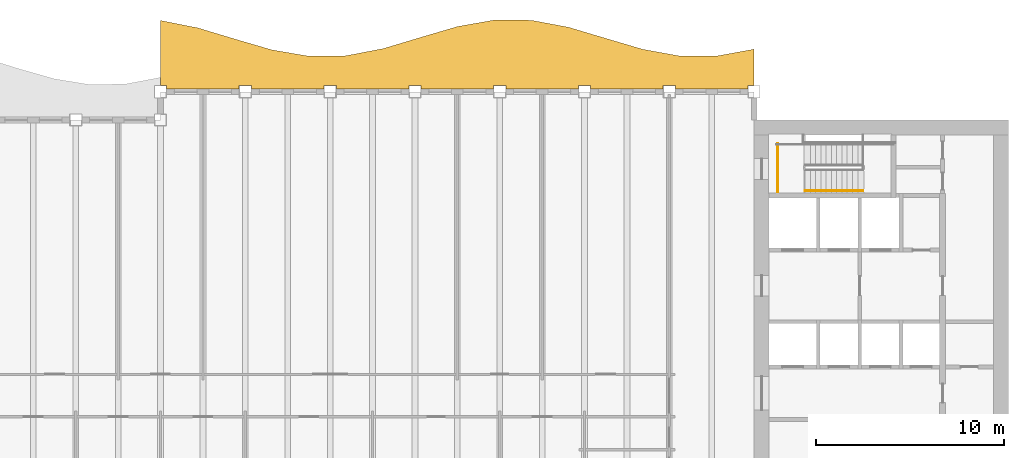
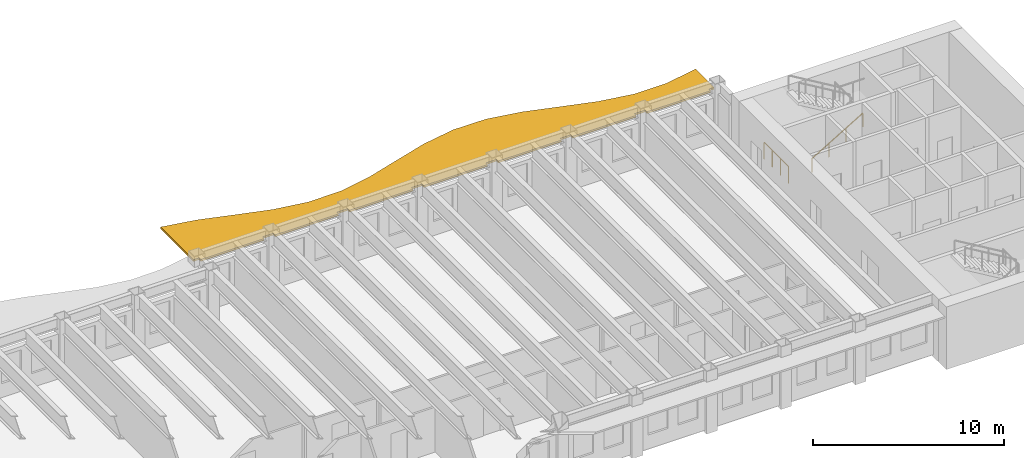
# One storey, part 11 of 12: 2 railings, 1 shading device.
"""IFC4 building model written with IfcOpenShell, lengths in metres."""

from ifc_helpers import new_model, si_unit, direction, frame, origin, origin_2d, place, context, subcontext, project, spatial, polyline, rectangle, outline, extrude, material, layer, layer_set, type_object, element, save


model = new_model("IFC4")

# Units and contexts
model_context = context("Model", 3, precision=1e-05, world=origin(), true_north=direction((0.0, 1.0)))
body_context = subcontext(model_context, "Body", "Model", "MODEL_VIEW")
ifc_project = project(units=[si_unit("LENGTHUNIT", "METRE"), si_unit("AREAUNIT", "SQUARE_METRE"), si_unit("VOLUMEUNIT", "CUBIC_METRE"), si_unit("PLANEANGLEUNIT", "RADIAN"), si_unit("MASSUNIT", "GRAM", prefix="KILO")], contexts=[model_context])

# Site, building, storey
site_placement = place(None, origin())
site = spatial("IfcSite", under=ifc_project, at=site_placement, CompositionType="ELEMENT")
building_placement = place(site_placement, origin())
building = spatial("IfcBuilding", under=site, at=building_placement, Name="Sennacour Bend Tower", CompositionType="ELEMENT")
storey_placement = place(building_placement, frame((0.0, 0.0, 273.0)))
storey = spatial("IfcBuildingStorey", under=building, at=storey_placement, Name="L63", CompositionType="ELEMENT", Elevation=273.0)

# Railings
ifc_material_1 = material(Name="Stainless steel", Category="steel")
railing_type_1 = type_object("IfcRailingType", Name="RL-GUARD-1100", PredefinedType="GUARDRAIL", material=ifc_material_1)
railing_1_placement = place(storey_placement, frame((55.25, 18.699951171875, 0.0)))
element("IfcRailing", 1, at=railing_1_placement, inside=storey, type_object=railing_type_1, Name="L63 SA2 stair guard 7", PredefinedType="GUARDRAIL", context=body_context, shape_type="SweptSolid", body=[
    extrude(rectangle(XDim=0.048095703125, YDim=0.048095703125, at=origin_2d()), frame((0.0, 0.0, 1.076171875), z_axis=(0.0, 1.0, 0.0), x_axis=(-1.0, 0.0, 0.0)), (0.0, 0.0, 1.0), 2.550048828125),
    extrude(rectangle(XDim=0.0419921875, YDim=0.0419921875, at=origin_2d()), origin(), (0.0, 0.0, 1.0), 1.052001953125),
    extrude(rectangle(XDim=0.0419921875, YDim=0.0419921875, at=origin_2d()), frame((0.0, 0.85009765625, 0.0)), (0.0, 0.0, 1.0), 1.052001953125),
    extrude(rectangle(XDim=0.0419921875, YDim=0.0419921875, at=origin_2d()), frame((0.0, 1.699951171875, 0.0)), (0.0, 0.0, 1.0), 1.052001953125),
    extrude(rectangle(XDim=0.0419921875, YDim=0.0419921875, at=origin_2d()), frame((0.0, 2.550048828125, 0.0)), (0.0, 0.0, 1.0), 1.052001953125),
])
railing_type_2 = type_object("IfcRailingType", Name="RL-HANDRAIL-900", PredefinedType="HANDRAIL", material=ifc_material_1)
railing_2_placement = place(storey_placement, frame((56.699951171875, 18.75, 0.166748046875)))
element("IfcRailing", 2, at=railing_2_placement, inside=storey, type_object=railing_type_2, Name="L63 SA2 stair handrail 1", PredefinedType="HANDRAIL", context=body_context, shape_type="SweptSolid", body=[
    extrude(rectangle(XDim=0.048095703125, YDim=0.048095703125, at=origin_2d()), frame((0.0, 0.0, 0.8759765625), z_axis=(0.859308565015, 0.0, 0.511457515432), x_axis=(0.0, 1.0, 0.0)), (0.0, 0.0, 1.0), 3.58447265625),
    extrude(rectangle(XDim=0.0419921875, YDim=0.0419921875, at=origin_2d()), origin(), (0.0, 0.0, 1.0), 0.851806640625),
    extrude(rectangle(XDim=0.0419921875, YDim=0.0419921875, at=origin_2d()), frame((1.026611328125, 0.0, 0.611083984375)), (0.0, 0.0, 1.0), 0.851806640625),
    extrude(rectangle(XDim=0.0419921875, YDim=0.0419921875, at=origin_2d()), frame((2.053466796875, 0.0, 1.22216796875)), (0.0, 0.0, 1.0), 0.851806640625),
    extrude(rectangle(XDim=0.0419921875, YDim=0.0419921875, at=origin_2d()), frame((3.080078125, 0.0, 1.833251953125)), (0.0, 0.0, 1.0), 0.851806640625),
])

# Shading device
ifc_material_2 = material(Name="Bronze anodised aluminium", Category="aluminium")
ifc_layer = layer(ifc_material_2, 0.1201171875, Name="Bronze anodised aluminium", Category="aluminium")
ifc_layer_set = layer_set([ifc_layer], Name="Bronze anodised aluminium")
shading_device_type = type_object("IfcShadingDeviceType", Name="SUNSHADE BAND WAVE", PredefinedType="USERDEFINED", material=ifc_layer_set)
shading_device_placement = place(storey_placement, frame((0.0, 0.0, 3.0419921875)))
element("IfcShadingDevice", 3, at=shading_device_placement, inside=storey, type_object=shading_device_type, Name="Sunshade band L63 concave faces", ObjectType="SUNSHADE", PredefinedType="USERDEFINED", context=body_context, shape_type="SweptSolid", body=[
    extrude(outline(polyline([(53.675048828125, 24.14990234375), (49.824951171875, 24.14990234375), (49.824951171875, 24.324951171875), (49.175048828125, 24.324951171875), (49.175048828125, 24.14990234375), (45.324951171875, 24.14990234375), (45.324951171875, 24.324951171875), (44.675048828125, 24.324951171875), (44.675048828125, 24.14990234375), (40.824951171875, 24.14990234375), (40.824951171875, 24.324951171875), (40.175048828125, 24.324951171875), (40.175048828125, 24.14990234375), (36.324951171875, 24.14990234375), (36.324951171875, 24.324951171875), (35.675048828125, 24.324951171875), (35.675048828125, 24.14990234375), (31.824951171875, 24.14990234375), (31.824951171875, 24.324951171875), (31.175048828125, 24.324951171875), (31.175048828125, 24.14990234375), (27.324951171875, 24.14990234375), (27.324951171875, 24.324951171875), (26.675048828125, 24.324951171875), (26.675048828125, 24.14990234375), (22.824951171875, 24.14990234375), (22.824951171875, 24.324951171875), (22.5, 24.324951171875), (22.5, 27.781982421875), (24.46875, 27.3935546875), (26.4375, 26.800048828125), (28.40625, 26.225341796875), (30.375, 25.88671875), (32.34375, 25.911865234375), (34.3125, 26.29150390625), (36.28125, 26.882080078125), (38.25, 27.460693359375), (40.21875, 27.80859375), (42.1875, 27.794189453125), (44.15625, 27.42333984375), (46.125, 26.835693359375), (48.09375, 26.253662109375), (50.0625, 25.896728515625), (52.03125, 25.900146484375), (54.0, 26.26220703125), (54.0, 24.324951171875), (53.675048828125, 24.324951171875), (53.675048828125, 24.14990234375)])), origin(), (0.0, 0.0, 1.0), 0.1201171875),
])

save(model, "model.ifc")
